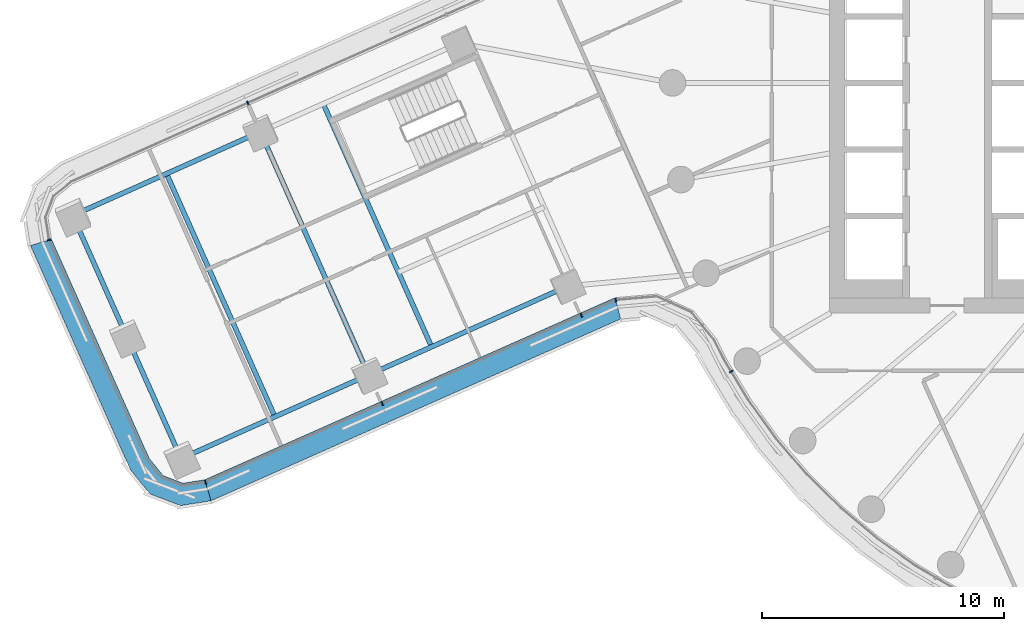
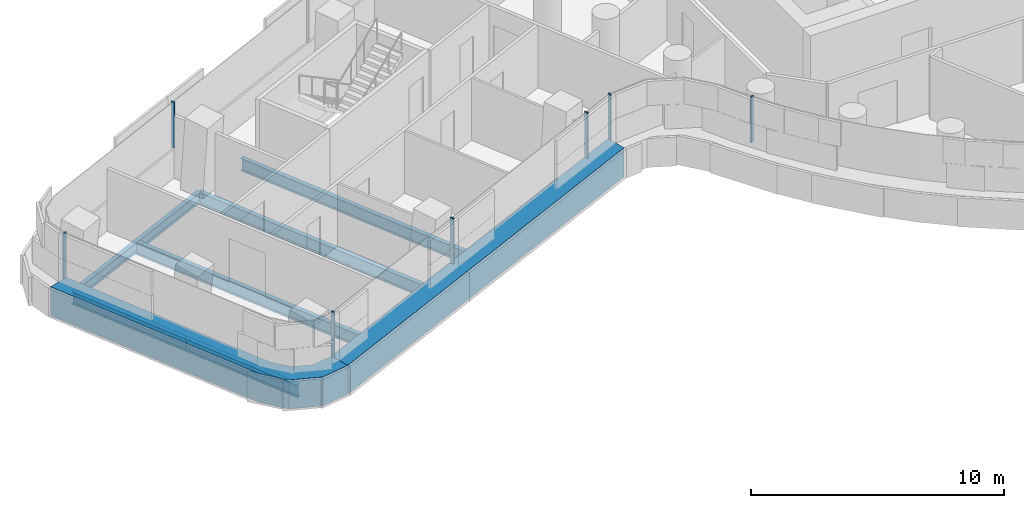
# One storey, part 5 of 35: 9 members, 8 beams, 4 elements without a shape of their own.
"""IFC4 building model written with IfcOpenShell, lengths in metres."""

from ifc_helpers import new_model, si_unit, direction, frame, origin, origin_2d, place, context, subcontext, project, spatial, polyline, rectangle, i_section, outline, extrude, material, layer, layer_set, material_profile, profile_set, type_object, element, aggregate, save


model = new_model("IFC4")

# Units and contexts
model_context = context("Model", 3, precision=1e-05, world=origin(), true_north=direction((0.0, 1.0)))
body_context = subcontext(model_context, "Body", "Model", "MODEL_VIEW")
ifc_project = project(units=[si_unit("LENGTHUNIT", "METRE"), si_unit("AREAUNIT", "SQUARE_METRE"), si_unit("VOLUMEUNIT", "CUBIC_METRE"), si_unit("PLANEANGLEUNIT", "RADIAN"), si_unit("MASSUNIT", "GRAM", prefix="KILO")], contexts=[model_context])

# Site, building, storey
site_placement = place(None, origin())
site = spatial("IfcSite", under=ifc_project, at=site_placement, CompositionType="ELEMENT")
building_placement = place(site_placement, origin())
building = spatial("IfcBuilding", under=site, at=building_placement, Name="Tamarind Cross Interchange Tower", CompositionType="ELEMENT")
storey_placement = place(building_placement, frame((0.0, 0.0, 121.0)))
storey = spatial("IfcBuildingStorey", under=building, at=storey_placement, Name="L29", CompositionType="ELEMENT", Elevation=121.0)

# Beams
ifc_material_1 = material(Name="Steel Q355B", Category="steel")
ifc_material_profile_1 = material_profile(ifc_material_1, i_section(OverallWidth=0.198974609375, OverallDepth=0.49609375, WebThickness=0.009033203125, FlangeThickness=0.013916015625, FilletRadius=0.012939453125, at=origin_2d()), Name="HN 496x199x9x14")
ifc_profile_set_1 = profile_set([ifc_material_profile_1], Name="Steel Q355B")
beam_type_1 = type_object("IfcBeamType", Name="Composite beam HN 496x199x9x14 Q355B", PredefinedType="BEAM", material=ifc_profile_set_1)
for number, where, z_axis, x_axis, name in (
    (1, (-47.7958984375, -5.4794921875, -0.387939453125), (0.913337868531, 0.407202576007, 0.0), (-0.407202576007, 0.913337868531, 0.0), "Beam W-edgeem5"),
    (2, (-43.31640625, -15.526123046875, -0.387939453125), (0.913337868531, 0.407202576007, 0.0), (-0.407202576007, 0.913337868531, 0.0), "Beam W-edgeep2"),
):
    element("IfcBeam", number, at=place(storey_placement, frame(where, z_axis=z_axis, x_axis=x_axis)), inside=storey, type_object=beam_type_1, Name=name, PredefinedType="BEAM", context=body_context, shape_type="SweptSolid", body=[
        extrude(i_section(OverallWidth=0.198974609375, OverallDepth=0.49609375, WebThickness=0.009033203125, FlangeThickness=0.013916015625, FilletRadius=0.012939453125, at=origin_2d()), origin(), (0.0, 0.0, 1.0), 8.491455078125),
    ])
beam_1_placement = place(storey_placement, frame((-35.560791015625, -12.068359375, -0.387939453125), z_axis=(0.913327655612, 0.407225482374, 0.0), x_axis=(-0.407225482374, 0.913327655612, 0.0)))
element("IfcBeam", 3, at=beam_1_placement, inside=storey, type_object=beam_type_1, Name="Beam W-edgeep3", PredefinedType="BEAM", context=body_context, shape_type="SweptSolid", body=[
    extrude(i_section(OverallWidth=0.198974609375, OverallDepth=0.49609375, WebThickness=0.009033203125, FlangeThickness=0.013916015625, FilletRadius=0.012939453125, at=origin_2d()), origin(), (0.0, 0.0, 1.0), 9.0),
])
ifc_material_profile_2 = material_profile(ifc_material_1, i_section(OverallWidth=0.199951171875, OverallDepth=0.60009765625, WebThickness=0.010986328125, FlangeThickness=0.01708984375, FilletRadius=0.012939453125, at=origin_2d()), Name="HN 600x200x11x17")
ifc_profile_set_2 = profile_set([ifc_material_profile_2], Name="Steel Q355B")
beam_type_2 = type_object("IfcBeamType", Name="Composite beam HN 600x200x11x17 Q355B", PredefinedType="BEAM", material=ifc_profile_set_2)
beam_2_placement = place(storey_placement, frame((-47.7958984375, -5.4794921875, -0.43994140625), z_axis=(0.407217227701, -0.913331336079, 0.0), x_axis=(0.913331336079, 0.407217227701, 0.0)))
element("IfcBeam", 4, at=beam_2_placement, inside=storey, type_object=beam_type_2, Name="Beam W-tip0", PredefinedType="BEAM", context=body_context, shape_type="SweptSolid", body=[
    extrude(i_section(OverallWidth=0.199951171875, OverallDepth=0.60009765625, WebThickness=0.010986328125, FlangeThickness=0.01708984375, FilletRadius=0.012939453125, at=origin_2d()), origin(), (0.0, 0.0, 1.0), 5.500244140625),
])
beam_3_placement = place(storey_placement, frame((-45.55615234375, -10.5029296875, -0.43994140625), z_axis=(0.407233737348, -0.913323974921, 0.0), x_axis=(0.913323974921, 0.407233737348, 0.0)))
element("IfcBeam", 5, at=beam_3_placement, inside=storey, type_object=beam_type_2, Name="Beam W-tip1", PredefinedType="BEAM", context=body_context, shape_type="SweptSolid", body=[
    extrude(i_section(OverallWidth=0.199951171875, OverallDepth=0.60009765625, WebThickness=0.010986328125, FlangeThickness=0.01708984375, FilletRadius=0.012939453125, at=origin_2d()), origin(), (0.0, 0.0, 1.0), 5.5),
])
for number, where, z_axis, x_axis, name in (
    (6, (-37.437255859375, -0.861083984375, -0.43994140625), (0.407206968158, -0.913335910322, 0.0), (0.913335910322, 0.407206968158, 0.0), "Beam W-x364"),
    (7, (-40.040283203125, -2.021728515625, -0.43994140625), (0.407225482374, -0.913327655612, 0.0), (0.913327655612, 0.407225482374, 0.0), "Beam W-x393"),
    (8, (-43.91796875, -3.75048828125, -0.43994140625), (0.407206968158, -0.913335910322, 0.0), (0.913335910322, 0.407206968158, 0.0), "Beam W-x435"),
):
    element("IfcBeam", number, at=place(storey_placement, frame(where, z_axis=z_axis, x_axis=x_axis)), inside=storey, type_object=beam_type_2, Name=name, PredefinedType="BEAM", context=body_context, shape_type="SweptSolid", body=[
        extrude(i_section(OverallWidth=0.199951171875, OverallDepth=0.60009765625, WebThickness=0.010986328125, FlangeThickness=0.01708984375, FilletRadius=0.012939453125, at=origin_2d()), origin(), (0.0, 0.0, 1.0), 11.0),
    ])

# Curtain wall, member
ifc_material_2 = material(Name="Aluminium 6063-T6", Category="aluminium")
ifc_layer = layer(ifc_material_2, 0.159912109375)
ifc_layer_set = layer_set([ifc_layer], Name="Aluminium 6063-T6")
curtain_wall_type = type_object("IfcCurtainWallType", Name="Office curtain wall, 9.0 m bays", PredefinedType="NOTDEFINED", material=ifc_layer_set)
curtain_wall_1_placement = place(storey_placement, origin())
curtain_wall_1 = element("IfcCurtainWall", 9, at=curtain_wall_1_placement, inside=storey, type_object=curtain_wall_type, Name="CWS-L29-00", PredefinedType="NOTDEFINED")
ifc_material_3 = material(Name="Aluminium and insulated spandrel panel", Category="aluminium")
member_type_1 = type_object("IfcMemberType", Name="Floor-edge blade transom", PredefinedType="USERDEFINED", material=ifc_material_3)
member_1_placement = place(storey_placement, origin())
member_1 = element("IfcMember", 10, at=member_1_placement, type_object=member_type_1, Name="CWT-L29-00", ObjectType="TRANSOM", PredefinedType="USERDEFINED", context=body_context, shape_type="SweptSolid", body=[
    extrude(outline(polyline([(-48.672119140625, -6.4609375), (-44.632080078125, -15.52197265625), (-44.0556640625, -16.233154296875), (-43.239013671875, -16.546142578125), (-42.334716796875, -16.40234375), (-42.0771484375, -17.272705078125), (-43.3359375, -17.472900390625), (-44.60302734375, -16.9873046875), (-45.40576171875, -15.996826171875), (-49.54248046875, -6.71923828125), (-48.672119140625, -6.4609375)])), origin(), (0.0, 0.0, 1.0), 1.39990234375),
])

curtain_wall_2_placement = place(storey_placement, origin())
curtain_wall_2 = element("IfcCurtainWall", 11, at=curtain_wall_2_placement, inside=storey, type_object=curtain_wall_type, Name="CWS-L29-01", PredefinedType="NOTDEFINED")
member_2_placement = place(storey_placement, origin())
member_2 = element("IfcMember", 12, at=member_2_placement, type_object=member_type_1, Name="CWT-L29-01", ObjectType="TRANSOM", PredefinedType="USERDEFINED", context=body_context, shape_type="SweptSolid", body=[
    extrude(outline(polyline([(-42.334716796875, -16.40234375), (-25.369873046875, -8.8740234375), (-25.142822265625, -9.7578125), (-42.0771484375, -17.272705078125), (-42.334716796875, -16.40234375)])), origin(), (0.0, 0.0, 1.0), 1.39990234375),
])

# Member
ifc_material_profile_3 = material_profile(ifc_material_2, rectangle(XDim=0.06005859375, YDim=0.159912109375, at=origin_2d()), Name="Mullion CW1")
ifc_profile_set_3 = profile_set([ifc_material_profile_3], Name="Aluminium 6063-T6")
member_type_2 = type_object("IfcMemberType", Name="Mullion CW1", PredefinedType="MULLION", material=ifc_profile_set_3)
member_3_placement = place(storey_placement, frame((-48.768798828125, -6.48974609375, 1.39990234375), z_axis=(0.0, 0.0, 1.0), x_axis=(0.284524035366, -0.958668907026, 0.0)))
member_3 = element("IfcMember", 13, at=member_3_placement, type_object=member_type_2, Name="CWM-L29-00-00", PredefinedType="MULLION", context=body_context, shape_type="SweptSolid", body=[
    extrude(rectangle(XDim=0.06005859375, YDim=0.159912109375, at=origin_2d()), origin(), (0.0, 0.0, 1.0), 2.210205078125),
])

aggregate(curtain_wall_1, [member_3, member_1])

member_4_placement = place(storey_placement, frame((-42.30615234375, -16.4990234375, 1.39990234375), z_axis=(0.0, 0.0, 1.0), x_axis=(0.958917297167, 0.283685771926, 0.0)))
member_4 = element("IfcMember", 14, at=member_4_placement, type_object=member_type_2, Name="CWM-L29-01-00", PredefinedType="MULLION", context=body_context, shape_type="SweptSolid", body=[
    extrude(rectangle(XDim=0.06005859375, YDim=0.159912109375, at=origin_2d()), origin(), (0.0, 0.0, 1.0), 2.210205078125),
])

member_5_placement = place(storey_placement, frame((-34.998779296875, -13.25634765625, 1.39990234375), z_axis=(0.0, 0.0, 1.0), x_axis=(0.914040185221, 0.40562364305, 0.0)))
member_5 = element("IfcMember", 15, at=member_5_placement, type_object=member_type_2, Name="CWM-L29-01-01", PredefinedType="MULLION", context=body_context, shape_type="SweptSolid", body=[
    extrude(rectangle(XDim=0.06005859375, YDim=0.159912109375, at=origin_2d()), origin(), (0.0, 0.0, 1.0), 2.210205078125),
])

member_6_placement = place(storey_placement, frame((-26.76904296875, -9.604248046875, 1.39990234375), z_axis=(0.0, 0.0, 1.0), x_axis=(0.914040185221, 0.40562364305, 0.0)))
member_6 = element("IfcMember", 16, at=member_6_placement, type_object=member_type_2, Name="CWM-L29-01-02", PredefinedType="MULLION", context=body_context, shape_type="SweptSolid", body=[
    extrude(rectangle(XDim=0.06005859375, YDim=0.159912109375, at=origin_2d()), origin(), (0.0, 0.0, 1.0), 2.210205078125),
])

aggregate(curtain_wall_2, [member_4, member_5, member_6, member_2])

# Curtain wall, members
curtain_wall_3_placement = place(storey_placement, origin())
curtain_wall_3 = element("IfcCurtainWall", 17, at=curtain_wall_3_placement, inside=storey, type_object=curtain_wall_type, Name="CWS-L29-02", PredefinedType="NOTDEFINED")
member_7_placement = place(storey_placement, frame((-25.3447265625, -8.97216796875, 1.39990234375), z_axis=(0.0, 0.0, 1.0), x_axis=(0.968506091697, 0.248989859926, 0.0)))
member_7 = element("IfcMember", 18, at=member_7_placement, type_object=member_type_2, Name="CWM-L29-02-00", PredefinedType="MULLION", context=body_context, shape_type="SweptSolid", body=[
    extrude(rectangle(XDim=0.06005859375, YDim=0.159912109375, at=origin_2d()), origin(), (0.0, 0.0, 1.0), 2.210205078125),
])
member_8_placement = place(storey_placement, frame((-20.57080078125, -11.92724609375, 1.39990234375), z_axis=(0.0, 0.0, 1.0), x_axis=(0.515577308909, -0.856843065292, 0.0)))
member_8 = element("IfcMember", 19, at=member_8_placement, type_object=member_type_2, Name="CWM-L29-02-01", PredefinedType="MULLION", context=body_context, shape_type="SweptSolid", body=[
    extrude(rectangle(XDim=0.06005859375, YDim=0.159912109375, at=origin_2d()), origin(), (0.0, 0.0, 1.0), 2.210205078125),
])
aggregate(curtain_wall_3, [member_7, member_8])

# Curtain wall, member
curtain_wall_4_placement = place(storey_placement, origin())
curtain_wall_4 = element("IfcCurtainWall", 20, at=curtain_wall_4_placement, inside=storey, type_object=curtain_wall_type, Name="CWS-L29-15", PredefinedType="NOTDEFINED")
member_9_placement = place(storey_placement, frame((-40.556884765625, -0.82861328125, 1.39990234375), z_axis=(0.0, 0.0, 1.0), x_axis=(-0.913329522698, -0.407221294835, 0.0)))
member_9 = element("IfcMember", 21, at=member_9_placement, type_object=member_type_2, Name="CWM-L29-15-02", PredefinedType="MULLION", context=body_context, shape_type="SweptSolid", body=[
    extrude(rectangle(XDim=0.06005859375, YDim=0.159912109375, at=origin_2d()), origin(), (0.0, 0.0, 1.0), 2.210205078125),
])
aggregate(curtain_wall_4, [member_9])

save(model, "model.ifc")
